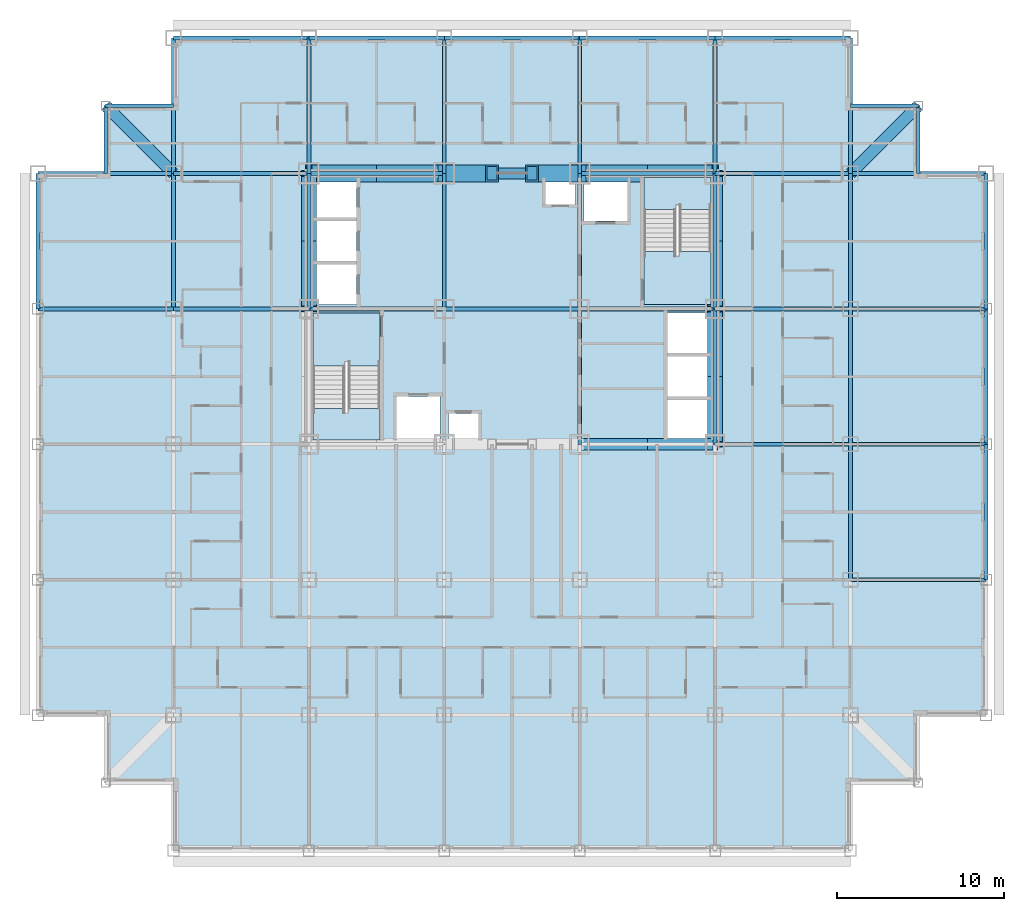
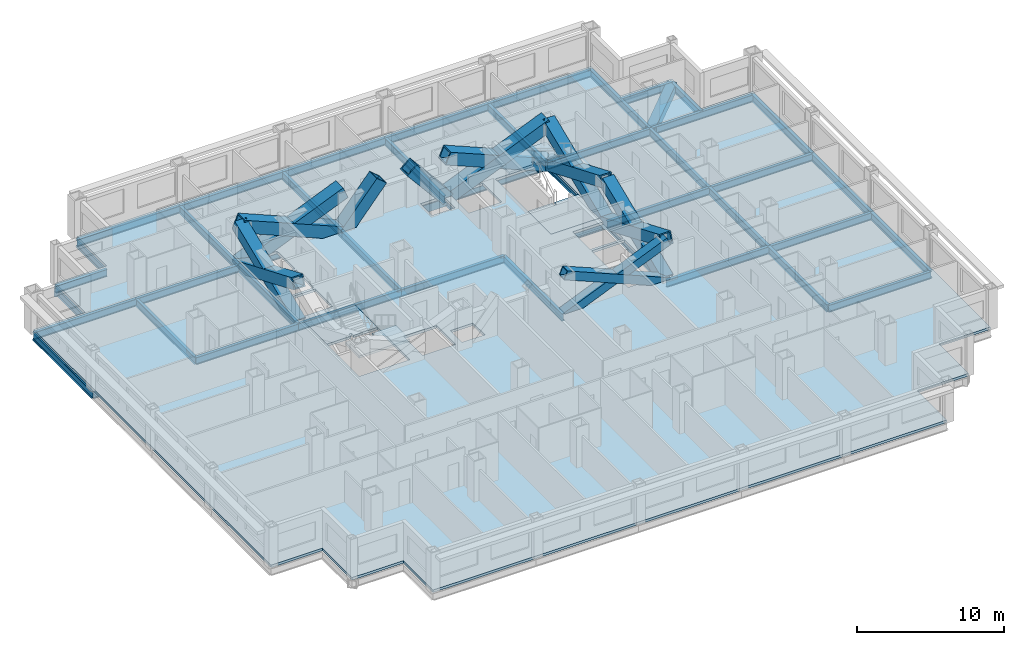
# One storey, part 2 of 11: 48 beams, 14 members, 5 slabs, 2 elements without a shape of their own.
"""IFC4 building model written with IfcOpenShell, lengths in metres."""

from ifc_helpers import new_model, si_unit, direction, frame, origin, origin_2d, place, context, subcontext, project, spatial, polyline, hollow_rectangle, i_section, outline, extrude, material, layer, layer_set, material_profile, profile_set, type_object, element, aggregate, save


model = new_model("IFC4")

# Units and contexts
model_context = context("Model", 3, precision=1e-05, world=origin(), true_north=direction((0.0, 1.0)))
body_context = subcontext(model_context, "Body", "Model", "MODEL_VIEW")
ifc_project = project(units=[si_unit("LENGTHUNIT", "METRE"), si_unit("AREAUNIT", "SQUARE_METRE"), si_unit("VOLUMEUNIT", "CUBIC_METRE"), si_unit("PLANEANGLEUNIT", "RADIAN"), si_unit("MASSUNIT", "GRAM", prefix="KILO")], contexts=[model_context])

# Site, building, storey
site_placement = place(None, origin())
site = spatial("IfcSite", under=ifc_project, at=site_placement, CompositionType="ELEMENT")
building_placement = place(site_placement, origin())
building = spatial("IfcBuilding", under=site, at=building_placement, Name="Kopane Lantern Tower", CompositionType="ELEMENT")
storey_placement = place(building_placement, frame((0.0, 0.0, 56.800048828125)))
storey = spatial("IfcBuildingStorey", under=building, at=storey_placement, Name="L13", CompositionType="ELEMENT", Elevation=56.800048828125)

# Members
ifc_material_1 = material(Name="Steel S355JR", Category="steel")
ifc_material_profile_1 = material_profile(ifc_material_1, hollow_rectangle(XDim=1.0, YDim=1.0, WallThickness=0.10009765625, at=origin_2d()), Name="BOX 1000x1000x100")
ifc_profile_set_1 = profile_set([ifc_material_profile_1], Name="Steel S355JR")
member_type_1 = type_object("IfcMemberType", Name="BRACE BOX 1000x1000x100", PredefinedType="BRACE", material=ifc_profile_set_1)
for number, where, z_axis, x_axis, name in (
    (1, (16.199951171875, 40.5, -0.2099609375), (0.922069000757, 0.0, 0.387025526088), (0.0, 1.0, 0.0), "Core brace L13"),
    (2, (24.300048828125, 40.5, -0.2099609375), (-0.922069000757, 0.0, 0.387025526088), (0.0, -1.0, 0.0), "Core brace L13"),
):
    element("IfcMember", number, at=place(storey_placement, frame(where, z_axis=z_axis, x_axis=x_axis)), inside=storey, type_object=member_type_1, Name=name, PredefinedType="BRACE", context=body_context, shape_type="SweptSolid", body=[
        extrude(hollow_rectangle(XDim=1.0, YDim=1.0, WallThickness=0.10009765625, at=origin_2d()), origin(), (0.0, 0.0, 1.0), 8.78466796875),
    ])
for number, where, z_axis, x_axis, name in (
    (3, (24.300048828125, 40.5, -0.2099609375), (0.642390257445, 0.0, 0.7663776857), (0.0, 1.0, 0.0), "Core brace L13"),
    (4, (32.39990234375, 40.5, -0.2099609375), (-0.642390257445, 0.0, 0.7663776857), (0.0, -1.0, 0.0), "Core brace L13"),
):
    element("IfcMember", number, at=place(storey_placement, frame(where, z_axis=z_axis, x_axis=x_axis)), inside=storey, type_object=member_type_1, Name=name, PredefinedType="BRACE", context=body_context, shape_type="SweptSolid", body=[
        extrude(hollow_rectangle(XDim=1.0, YDim=1.0, WallThickness=0.10009765625, at=origin_2d()), origin(), (0.0, 0.0, 1.0), 4.436279296875),
    ])
for number, where, z_axis, x_axis, name in (
    (5, (32.39990234375, 40.5, -0.2099609375), (0.922069000757, 0.0, 0.387025526088), (0.0, 1.0, 0.0), "Core brace L13"),
    (6, (40.5, 40.5, -0.2099609375), (-0.922069000757, 0.0, 0.387025526088), (0.0, -1.0, 0.0), "Core brace L13"),
):
    element("IfcMember", number, at=place(storey_placement, frame(where, z_axis=z_axis, x_axis=x_axis)), inside=storey, type_object=member_type_1, Name=name, PredefinedType="BRACE", context=body_context, shape_type="SweptSolid", body=[
        extrude(hollow_rectangle(XDim=1.0, YDim=1.0, WallThickness=0.10009765625, at=origin_2d()), origin(), (0.0, 0.0, 1.0), 8.78466796875),
    ])
ifc_material_2 = material(Name="Steel S355JR", Category="steel")
ifc_material_profile_2 = material_profile(ifc_material_2, hollow_rectangle(XDim=0.699951171875, YDim=0.699951171875, WallThickness=0.06005859375, at=origin_2d()), Name="BOX 700x700x60")
ifc_profile_set_2 = profile_set([ifc_material_profile_2], Name="Steel S355JR")
member_type_2 = type_object("IfcMemberType", Name="BRACE BOX 700x700x60", PredefinedType="BRACE", material=ifc_profile_set_2)
for number, where, z_axis, x_axis, name in (
    (7, (32.39990234375, 24.300048828125, -0.2099609375), (0.922069000757, 0.0, 0.387025526088), (0.0, 1.0, 0.0), "Core brace L13"),
    (8, (40.5, 24.300048828125, -0.2099609375), (-0.922069000757, 0.0, 0.387025526088), (0.0, -1.0, 0.0), "Core brace L13"),
):
    element("IfcMember", number, at=place(storey_placement, frame(where, z_axis=z_axis, x_axis=x_axis)), inside=storey, type_object=member_type_2, Name=name, PredefinedType="BRACE", context=body_context, shape_type="SweptSolid", body=[
        extrude(hollow_rectangle(XDim=0.699951171875, YDim=0.699951171875, WallThickness=0.06005859375, at=origin_2d()), origin(), (0.0, 0.0, 1.0), 8.78466796875),
    ])
ifc_material_3 = material(Name="Steel S355JR", Category="steel")
ifc_material_profile_3 = material_profile(ifc_material_3, hollow_rectangle(XDim=0.89990234375, YDim=0.89990234375, WallThickness=0.090087890625, at=origin_2d()), Name="BOX 900x900x90")
ifc_profile_set_3 = profile_set([ifc_material_profile_3], Name="Steel S355JR")
member_type_3 = type_object("IfcMemberType", Name="BRACE BOX 900x900x90", PredefinedType="BRACE", material=ifc_profile_set_3)
for number, where, z_axis, x_axis, name in (
    (9, (16.199951171875, 32.39990234375, -0.2099609375), (0.0, 0.922069000757, 0.387025526088), (-1.0, 0.0, 0.0), "Core brace L13"),
    (10, (16.199951171875, 40.5, -0.2099609375), (0.0, -0.922069000757, 0.387025526088), (1.0, 0.0, 0.0), "Core brace L13"),
):
    element("IfcMember", number, at=place(storey_placement, frame(where, z_axis=z_axis, x_axis=x_axis)), inside=storey, type_object=member_type_3, Name=name, PredefinedType="BRACE", context=body_context, shape_type="SweptSolid", body=[
        extrude(hollow_rectangle(XDim=0.89990234375, YDim=0.89990234375, WallThickness=0.090087890625, at=origin_2d()), origin(), (0.0, 0.0, 1.0), 8.78466796875),
    ])
for number, where, z_axis, x_axis, name in (
    (11, (40.5, 24.300048828125, -0.2099609375), (0.0, 0.922064837731, 0.38703544414), (-1.0, 0.0, 0.0), "Core brace L13"),
    (12, (40.5, 32.39990234375, -0.2099609375), (0.0, -0.922064837731, 0.38703544414), (1.0, 0.0, 0.0), "Core brace L13"),
):
    element("IfcMember", number, at=place(storey_placement, frame(where, z_axis=z_axis, x_axis=x_axis)), inside=storey, type_object=member_type_3, Name=name, PredefinedType="BRACE", context=body_context, shape_type="SweptSolid", body=[
        extrude(hollow_rectangle(XDim=0.89990234375, YDim=0.89990234375, WallThickness=0.090087890625, at=origin_2d()), origin(), (0.0, 0.0, 1.0), 8.784423828125),
    ])
for number, where, z_axis, x_axis, name in (
    (13, (40.5, 32.39990234375, -0.2099609375), (0.0, 0.922069000757, 0.387025526088), (-1.0, 0.0, 0.0), "Core brace L13"),
    (14, (40.5, 40.5, -0.2099609375), (0.0, -0.922069000757, 0.387025526088), (1.0, 0.0, 0.0), "Core brace L13"),
):
    element("IfcMember", number, at=place(storey_placement, frame(where, z_axis=z_axis, x_axis=x_axis)), inside=storey, type_object=member_type_3, Name=name, PredefinedType="BRACE", context=body_context, shape_type="SweptSolid", body=[
        extrude(hollow_rectangle(XDim=0.89990234375, YDim=0.89990234375, WallThickness=0.090087890625, at=origin_2d()), origin(), (0.0, 0.0, 1.0), 8.78466796875),
    ])

# Beams
ifc_material_4 = material(Name="Steel S355JR", Category="steel")
ifc_material_profile_4 = material_profile(ifc_material_4, i_section(OverallWidth=0.22900390625, OverallDepth=0.6123046875, WebThickness=0.011962890625, FlangeThickness=0.01953125, FilletRadius=0.0126953125, at=origin_2d()), Name="UB 610x229x125")
ifc_profile_set_4 = profile_set([ifc_material_profile_4], Name="Steel S355JR")
beam_type_1 = type_object("IfcBeamType", Name="CORE BEAM UB 610x229x125", PredefinedType="BEAM", material=ifc_profile_set_4)
for number, where, z_axis, x_axis, name in (
    (15, (16.199951171875, 32.39990234375, -0.51611328125), (1.0, 0.0, 0.0), (0.0, 1.0, 0.0), "Core Beam L13"),
    (16, (24.300048828125, 32.39990234375, -0.51611328125), (0.0, 1.0, 0.0), (-1.0, 0.0, 0.0), "Core Beam L13"),
):
    element("IfcBeam", number, at=place(storey_placement, frame(where, z_axis=z_axis, x_axis=x_axis)), inside=storey, type_object=beam_type_1, Name=name, PredefinedType="BEAM", context=body_context, shape_type="SweptSolid", body=[
        extrude(i_section(OverallWidth=0.22900390625, OverallDepth=0.6123046875, WebThickness=0.011962890625, FlangeThickness=0.01953125, FilletRadius=0.0126953125, at=origin_2d()), origin(), (0.0, 0.0, 1.0), 8.10009765625),
    ])
for number, where, z_axis, x_axis, name in (
    (17, (24.300048828125, 32.39990234375, -0.51611328125), (1.0, 0.0, 0.0), (0.0, 1.0, 0.0), "Core Beam L13"),
    (18, (32.39990234375, 24.300048828125, -0.51611328125), (0.0, 1.0, 0.0), (-1.0, 0.0, 0.0), "Core Beam L13"),
):
    element("IfcBeam", number, at=place(storey_placement, frame(where, z_axis=z_axis, x_axis=x_axis)), inside=storey, type_object=beam_type_1, Name=name, PredefinedType="BEAM", context=body_context, shape_type="SweptSolid", body=[
        extrude(i_section(OverallWidth=0.22900390625, OverallDepth=0.6123046875, WebThickness=0.011962890625, FlangeThickness=0.01953125, FilletRadius=0.0126953125, at=origin_2d()), origin(), (0.0, 0.0, 1.0), 8.099853515625),
    ])
for number, where, z_axis, x_axis, name in (
    (19, (32.39990234375, 32.39990234375, -0.51611328125), (0.0, 1.0, 0.0), (-1.0, 0.0, 0.0), "Core Beam L13"),
    (20, (32.39990234375, 32.39990234375, -0.51611328125), (1.0, 0.0, 0.0), (0.0, 1.0, 0.0), "Core Beam L13"),
):
    element("IfcBeam", number, at=place(storey_placement, frame(where, z_axis=z_axis, x_axis=x_axis)), inside=storey, type_object=beam_type_1, Name=name, PredefinedType="BEAM", context=body_context, shape_type="SweptSolid", body=[
        extrude(i_section(OverallWidth=0.22900390625, OverallDepth=0.6123046875, WebThickness=0.011962890625, FlangeThickness=0.01953125, FilletRadius=0.0126953125, at=origin_2d()), origin(), (0.0, 0.0, 1.0), 8.10009765625),
    ])
ifc_material_5 = material(Name="Steel S355JR", Category="steel")
ifc_material_profile_5 = material_profile(ifc_material_5, hollow_rectangle(XDim=0.699951171875, YDim=0.699951171875, WallThickness=0.06005859375, at=origin_2d()), Name="BOX 700x700x60")
ifc_profile_set_5 = profile_set([ifc_material_profile_5], Name="Steel S355JR")
beam_type_2 = type_object("IfcBeamType", Name="CORNER TIE BEAM BOX 700x700x60", PredefinedType="BEAM", material=ifc_profile_set_5)
for number, where, z_axis, x_axis, name in (
    (21, (4.050048828125, 44.550048828125, -0.56005859375), (0.707106781187, -0.707106781187, 0.0), (0.707106781187, 0.707106781187, 0.0), "Corner Tie Beam L13"),
    (22, (52.64990234375, 44.550048828125, -0.56005859375), (-0.707085467703, -0.707128094028, 0.0), (0.707128094028, -0.707085467703, 0.0), "Corner Tie Beam L13"),
):
    element("IfcBeam", number, at=place(storey_placement, frame(where, z_axis=z_axis, x_axis=x_axis)), inside=storey, type_object=beam_type_2, Name=name, PredefinedType="BEAM", context=body_context, shape_type="SweptSolid", body=[
        extrude(hollow_rectangle(XDim=0.699951171875, YDim=0.699951171875, WallThickness=0.06005859375, at=origin_2d()), origin(), (0.0, 0.0, 1.0), 5.7275390625),
    ])
ifc_material_6 = material(Name="Steel S355JR", Category="steel")
ifc_material_profile_6 = material_profile(ifc_material_6, i_section(OverallWidth=0.22900390625, OverallDepth=0.6123046875, WebThickness=0.011962890625, FlangeThickness=0.01953125, FilletRadius=0.0126953125, at=origin_2d()), Name="UB 610x229x125")
ifc_profile_set_6 = profile_set([ifc_material_profile_6], Name="Steel S355JR")
beam_type_3 = type_object("IfcBeamType", Name="EDGE BEAM UB 610x229x125", PredefinedType="BEAM", material=ifc_profile_set_6)
for number, where, z_axis, x_axis, name in (
    (23, (4.050048828125, 44.550048828125, -0.51611328125), (0.0, -1.0, 0.0), (1.0, 0.0, 0.0), "Edge Beam L13"),
    (24, (4.050048828125, 44.550048828125, -0.51611328125), (1.0, 0.0, 0.0), (0.0, 1.0, 0.0), "Edge Beam L13"),
):
    element("IfcBeam", number, at=place(storey_placement, frame(where, z_axis=z_axis, x_axis=x_axis)), inside=storey, type_object=beam_type_3, Name=name, PredefinedType="BEAM", context=body_context, shape_type="SweptSolid", body=[
        extrude(i_section(OverallWidth=0.22900390625, OverallDepth=0.6123046875, WebThickness=0.011962890625, FlangeThickness=0.01953125, FilletRadius=0.0126953125, at=origin_2d()), origin(), (0.0, 0.0, 1.0), 4.050048828125),
    ])
beam_1_placement = place(storey_placement, frame((52.64990234375, 44.550048828125, -0.51611328125), z_axis=(-1.0, 0.0, 0.0), x_axis=(0.0, -1.0, 0.0)))
element("IfcBeam", 25, at=beam_1_placement, inside=storey, type_object=beam_type_3, Name="Edge Beam L13", PredefinedType="BEAM", context=body_context, shape_type="SweptSolid", body=[
    extrude(i_section(OverallWidth=0.22900390625, OverallDepth=0.6123046875, WebThickness=0.011962890625, FlangeThickness=0.01953125, FilletRadius=0.0126953125, at=origin_2d()), origin(), (0.0, 0.0, 1.0), 4.0498046875),
])
beam_2_placement = place(storey_placement, frame((52.64990234375, 44.550048828125, -0.51611328125), z_axis=(0.0, -1.0, 0.0), x_axis=(1.0, 0.0, 0.0)))
element("IfcBeam", 26, at=beam_2_placement, inside=storey, type_object=beam_type_3, Name="Edge Beam L13", PredefinedType="BEAM", context=body_context, shape_type="SweptSolid", body=[
    extrude(i_section(OverallWidth=0.22900390625, OverallDepth=0.6123046875, WebThickness=0.011962890625, FlangeThickness=0.01953125, FilletRadius=0.0126953125, at=origin_2d()), origin(), (0.0, 0.0, 1.0), 4.050048828125),
])
ifc_material_7 = material(Name="Steel S355JR", Category="steel")
ifc_material_profile_7 = material_profile(ifc_material_7, i_section(OverallWidth=0.22900390625, OverallDepth=0.6123046875, WebThickness=0.011962890625, FlangeThickness=0.01953125, FilletRadius=0.0126953125, at=origin_2d()), Name="UB 610x229x125")
ifc_profile_set_7 = profile_set([ifc_material_profile_7], Name="Steel S355JR")
beam_type_4 = type_object("IfcBeamType", Name="GIRDER UB 610x229x125", PredefinedType="BEAM", material=ifc_profile_set_7)
for number, where, z_axis, x_axis, name in (
    (27, (0.0, 32.39990234375, -0.51611328125), (0.0, 1.0, 0.0), (-1.0, 0.0, 0.0), "Girder L13"),
    (28, (0.0, 32.39990234375, -0.51611328125), (1.0, 0.0, 0.0), (0.0, 1.0, 0.0), "Girder L13"),
    (29, (0.0, 40.5, -0.51611328125), (1.0, 0.0, 0.0), (0.0, 1.0, 0.0), "Girder L13"),
    (30, (8.10009765625, 32.39990234375, -0.51611328125), (0.0, 1.0, 0.0), (-1.0, 0.0, 0.0), "Girder L13"),
):
    element("IfcBeam", number, at=place(storey_placement, frame(where, z_axis=z_axis, x_axis=x_axis)), inside=storey, type_object=beam_type_4, Name=name, PredefinedType="BEAM", context=body_context, shape_type="SweptSolid", body=[
        extrude(i_section(OverallWidth=0.22900390625, OverallDepth=0.6123046875, WebThickness=0.011962890625, FlangeThickness=0.01953125, FilletRadius=0.0126953125, at=origin_2d()), origin(), (0.0, 0.0, 1.0), 8.10009765625),
    ])
beam_3_placement = place(storey_placement, frame((8.10009765625, 32.39990234375, -0.51611328125), z_axis=(1.0, 0.0, 0.0), x_axis=(0.0, 1.0, 0.0)))
element("IfcBeam", 31, at=beam_3_placement, inside=storey, type_object=beam_type_4, Name="Girder L13", PredefinedType="BEAM", context=body_context, shape_type="SweptSolid", body=[
    extrude(i_section(OverallWidth=0.22900390625, OverallDepth=0.6123046875, WebThickness=0.011962890625, FlangeThickness=0.01953125, FilletRadius=0.0126953125, at=origin_2d()), origin(), (0.0, 0.0, 1.0), 8.099853515625),
])
beam_4_placement = place(storey_placement, frame((8.10009765625, 40.5, -0.51611328125), z_axis=(0.0, 1.0, 0.0), x_axis=(-1.0, 0.0, 0.0)))
element("IfcBeam", 32, at=beam_4_placement, inside=storey, type_object=beam_type_4, Name="Girder L13", PredefinedType="BEAM", context=body_context, shape_type="SweptSolid", body=[
    extrude(i_section(OverallWidth=0.22900390625, OverallDepth=0.6123046875, WebThickness=0.011962890625, FlangeThickness=0.01953125, FilletRadius=0.0126953125, at=origin_2d()), origin(), (0.0, 0.0, 1.0), 8.10009765625),
])
for number, where, z_axis, x_axis, name in (
    (33, (8.10009765625, 40.5, -0.51611328125), (1.0, 0.0, 0.0), (0.0, 1.0, 0.0), "Girder L13"),
    (34, (8.10009765625, 48.60009765625, -0.51611328125), (1.0, 0.0, 0.0), (0.0, 1.0, 0.0), "Girder L13"),
):
    element("IfcBeam", number, at=place(storey_placement, frame(where, z_axis=z_axis, x_axis=x_axis)), inside=storey, type_object=beam_type_4, Name=name, PredefinedType="BEAM", context=body_context, shape_type="SweptSolid", body=[
        extrude(i_section(OverallWidth=0.22900390625, OverallDepth=0.6123046875, WebThickness=0.011962890625, FlangeThickness=0.01953125, FilletRadius=0.0126953125, at=origin_2d()), origin(), (0.0, 0.0, 1.0), 8.099853515625),
    ])
for number, where, z_axis, x_axis, name in (
    (35, (16.199951171875, 32.39990234375, -0.51611328125), (0.0, 1.0, 0.0), (-1.0, 0.0, 0.0), "Girder L13"),
    (36, (16.199951171875, 40.5, -0.51611328125), (0.0, 1.0, 0.0), (-1.0, 0.0, 0.0), "Girder L13"),
    (37, (16.199951171875, 40.5, -0.51611328125), (1.0, 0.0, 0.0), (0.0, 1.0, 0.0), "Girder L13"),
    (38, (16.199951171875, 48.60009765625, -0.51611328125), (1.0, 0.0, 0.0), (0.0, 1.0, 0.0), "Girder L13"),
    (39, (24.300048828125, 40.5, -0.51611328125), (0.0, 1.0, 0.0), (-1.0, 0.0, 0.0), "Girder L13"),
):
    element("IfcBeam", number, at=place(storey_placement, frame(where, z_axis=z_axis, x_axis=x_axis)), inside=storey, type_object=beam_type_4, Name=name, PredefinedType="BEAM", context=body_context, shape_type="SweptSolid", body=[
        extrude(i_section(OverallWidth=0.22900390625, OverallDepth=0.6123046875, WebThickness=0.011962890625, FlangeThickness=0.01953125, FilletRadius=0.0126953125, at=origin_2d()), origin(), (0.0, 0.0, 1.0), 8.10009765625),
    ])
beam_5_placement = place(storey_placement, frame((24.300048828125, 48.60009765625, -0.51611328125), z_axis=(1.0, 0.0, 0.0), x_axis=(0.0, 1.0, 0.0)))
element("IfcBeam", 40, at=beam_5_placement, inside=storey, type_object=beam_type_4, Name="Girder L13", PredefinedType="BEAM", context=body_context, shape_type="SweptSolid", body=[
    extrude(i_section(OverallWidth=0.22900390625, OverallDepth=0.6123046875, WebThickness=0.011962890625, FlangeThickness=0.01953125, FilletRadius=0.0126953125, at=origin_2d()), origin(), (0.0, 0.0, 1.0), 8.099853515625),
])
for number, where, z_axis, x_axis, name in (
    (41, (32.39990234375, 40.5, -0.51611328125), (0.0, 1.0, 0.0), (-1.0, 0.0, 0.0), "Girder L13"),
    (42, (32.39990234375, 40.5, -0.51611328125), (1.0, 0.0, 0.0), (0.0, 1.0, 0.0), "Girder L13"),
    (43, (32.39990234375, 48.60009765625, -0.51611328125), (1.0, 0.0, 0.0), (0.0, 1.0, 0.0), "Girder L13"),
):
    element("IfcBeam", number, at=place(storey_placement, frame(where, z_axis=z_axis, x_axis=x_axis)), inside=storey, type_object=beam_type_4, Name=name, PredefinedType="BEAM", context=body_context, shape_type="SweptSolid", body=[
        extrude(i_section(OverallWidth=0.22900390625, OverallDepth=0.6123046875, WebThickness=0.011962890625, FlangeThickness=0.01953125, FilletRadius=0.0126953125, at=origin_2d()), origin(), (0.0, 0.0, 1.0), 8.10009765625),
    ])
beam_6_placement = place(storey_placement, frame((40.5, 24.300048828125, -0.51611328125), z_axis=(0.0, 1.0, 0.0), x_axis=(-1.0, 0.0, 0.0)))
element("IfcBeam", 44, at=beam_6_placement, inside=storey, type_object=beam_type_4, Name="Girder L13", PredefinedType="BEAM", context=body_context, shape_type="SweptSolid", body=[
    extrude(i_section(OverallWidth=0.22900390625, OverallDepth=0.6123046875, WebThickness=0.011962890625, FlangeThickness=0.01953125, FilletRadius=0.0126953125, at=origin_2d()), origin(), (0.0, 0.0, 1.0), 8.099853515625),
])
for number, where, z_axis, x_axis, name in (
    (45, (40.5, 24.300048828125, -0.51611328125), (1.0, 0.0, 0.0), (0.0, 1.0, 0.0), "Girder L13"),
    (46, (40.5, 32.39990234375, -0.51611328125), (0.0, 1.0, 0.0), (-1.0, 0.0, 0.0), "Girder L13"),
    (47, (40.5, 32.39990234375, -0.51611328125), (1.0, 0.0, 0.0), (0.0, 1.0, 0.0), "Girder L13"),
    (48, (40.5, 40.5, -0.51611328125), (0.0, 1.0, 0.0), (-1.0, 0.0, 0.0), "Girder L13"),
    (49, (40.5, 40.5, -0.51611328125), (1.0, 0.0, 0.0), (0.0, 1.0, 0.0), "Girder L13"),
    (50, (40.5, 48.60009765625, -0.51611328125), (1.0, 0.0, 0.0), (0.0, 1.0, 0.0), "Girder L13"),
    (51, (48.60009765625, 16.199951171875, -0.51611328125), (0.0, 1.0, 0.0), (-1.0, 0.0, 0.0), "Girder L13"),
):
    element("IfcBeam", number, at=place(storey_placement, frame(where, z_axis=z_axis, x_axis=x_axis)), inside=storey, type_object=beam_type_4, Name=name, PredefinedType="BEAM", context=body_context, shape_type="SweptSolid", body=[
        extrude(i_section(OverallWidth=0.22900390625, OverallDepth=0.6123046875, WebThickness=0.011962890625, FlangeThickness=0.01953125, FilletRadius=0.0126953125, at=origin_2d()), origin(), (0.0, 0.0, 1.0), 8.10009765625),
    ])
for number, where, z_axis, x_axis, name in (
    (52, (48.60009765625, 16.199951171875, -0.51611328125), (1.0, 0.0, 0.0), (0.0, 1.0, 0.0), "Girder L13"),
    (53, (48.60009765625, 24.300048828125, -0.51611328125), (0.0, 1.0, 0.0), (-1.0, 0.0, 0.0), "Girder L13"),
    (54, (48.60009765625, 24.300048828125, -0.51611328125), (1.0, 0.0, 0.0), (0.0, 1.0, 0.0), "Girder L13"),
):
    element("IfcBeam", number, at=place(storey_placement, frame(where, z_axis=z_axis, x_axis=x_axis)), inside=storey, type_object=beam_type_4, Name=name, PredefinedType="BEAM", context=body_context, shape_type="SweptSolid", body=[
        extrude(i_section(OverallWidth=0.22900390625, OverallDepth=0.6123046875, WebThickness=0.011962890625, FlangeThickness=0.01953125, FilletRadius=0.0126953125, at=origin_2d()), origin(), (0.0, 0.0, 1.0), 8.099853515625),
    ])
beam_7_placement = place(storey_placement, frame((48.60009765625, 32.39990234375, -0.51611328125), z_axis=(0.0, 1.0, 0.0), x_axis=(-1.0, 0.0, 0.0)))
element("IfcBeam", 55, at=beam_7_placement, inside=storey, type_object=beam_type_4, Name="Girder L13", PredefinedType="BEAM", context=body_context, shape_type="SweptSolid", body=[
    extrude(i_section(OverallWidth=0.22900390625, OverallDepth=0.6123046875, WebThickness=0.011962890625, FlangeThickness=0.01953125, FilletRadius=0.0126953125, at=origin_2d()), origin(), (0.0, 0.0, 1.0), 8.10009765625),
])
beam_8_placement = place(storey_placement, frame((48.60009765625, 32.39990234375, -0.51611328125), z_axis=(1.0, 0.0, 0.0), x_axis=(0.0, 1.0, 0.0)))
element("IfcBeam", 56, at=beam_8_placement, inside=storey, type_object=beam_type_4, Name="Girder L13", PredefinedType="BEAM", context=body_context, shape_type="SweptSolid", body=[
    extrude(i_section(OverallWidth=0.22900390625, OverallDepth=0.6123046875, WebThickness=0.011962890625, FlangeThickness=0.01953125, FilletRadius=0.0126953125, at=origin_2d()), origin(), (0.0, 0.0, 1.0), 8.099853515625),
])
beam_9_placement = place(storey_placement, frame((48.60009765625, 40.5, -0.51611328125), z_axis=(0.0, 1.0, 0.0), x_axis=(-1.0, 0.0, 0.0)))
element("IfcBeam", 57, at=beam_9_placement, inside=storey, type_object=beam_type_4, Name="Girder L13", PredefinedType="BEAM", context=body_context, shape_type="SweptSolid", body=[
    extrude(i_section(OverallWidth=0.22900390625, OverallDepth=0.6123046875, WebThickness=0.011962890625, FlangeThickness=0.01953125, FilletRadius=0.0126953125, at=origin_2d()), origin(), (0.0, 0.0, 1.0), 8.10009765625),
])
beam_10_placement = place(storey_placement, frame((48.60009765625, 40.5, -0.51611328125), z_axis=(1.0, 0.0, 0.0), x_axis=(0.0, 1.0, 0.0)))
element("IfcBeam", 58, at=beam_10_placement, inside=storey, type_object=beam_type_4, Name="Girder L13", PredefinedType="BEAM", context=body_context, shape_type="SweptSolid", body=[
    extrude(i_section(OverallWidth=0.22900390625, OverallDepth=0.6123046875, WebThickness=0.011962890625, FlangeThickness=0.01953125, FilletRadius=0.0126953125, at=origin_2d()), origin(), (0.0, 0.0, 1.0), 8.099853515625),
])
beam_11_placement = place(storey_placement, frame((56.699951171875, 16.199951171875, -0.51611328125), z_axis=(0.0, 1.0, 0.0), x_axis=(-1.0, 0.0, 0.0)))
element("IfcBeam", 59, at=beam_11_placement, inside=storey, type_object=beam_type_4, Name="Girder L13", PredefinedType="BEAM", context=body_context, shape_type="SweptSolid", body=[
    extrude(i_section(OverallWidth=0.22900390625, OverallDepth=0.6123046875, WebThickness=0.011962890625, FlangeThickness=0.01953125, FilletRadius=0.0126953125, at=origin_2d()), origin(), (0.0, 0.0, 1.0), 8.10009765625),
])
beam_12_placement = place(storey_placement, frame((56.699951171875, 24.300048828125, -0.51611328125), z_axis=(0.0, 1.0, 0.0), x_axis=(-1.0, 0.0, 0.0)))
element("IfcBeam", 60, at=beam_12_placement, inside=storey, type_object=beam_type_4, Name="Girder L13", PredefinedType="BEAM", context=body_context, shape_type="SweptSolid", body=[
    extrude(i_section(OverallWidth=0.22900390625, OverallDepth=0.6123046875, WebThickness=0.011962890625, FlangeThickness=0.01953125, FilletRadius=0.0126953125, at=origin_2d()), origin(), (0.0, 0.0, 1.0), 8.099853515625),
])
beam_13_placement = place(storey_placement, frame((56.699951171875, 32.39990234375, -0.51611328125), z_axis=(0.0, 1.0, 0.0), x_axis=(-1.0, 0.0, 0.0)))
element("IfcBeam", 61, at=beam_13_placement, inside=storey, type_object=beam_type_4, Name="Girder L13", PredefinedType="BEAM", context=body_context, shape_type="SweptSolid", body=[
    extrude(i_section(OverallWidth=0.22900390625, OverallDepth=0.6123046875, WebThickness=0.011962890625, FlangeThickness=0.01953125, FilletRadius=0.0126953125, at=origin_2d()), origin(), (0.0, 0.0, 1.0), 8.10009765625),
])
ifc_material_8 = material(Name="Steel S355JR", Category="steel")
ifc_material_profile_8 = material_profile(ifc_material_8, hollow_rectangle(XDim=0.64990234375, YDim=0.64990234375, WallThickness=0.070068359375, at=origin_2d()), Name="BOX 650x650x70")
ifc_profile_set_8 = profile_set([ifc_material_profile_8], Name="Steel S355JR")
beam_type_5 = type_object("IfcBeamType", Name="LINK BEAM BOX 650x650x70", PredefinedType="BEAM", material=ifc_profile_set_8)
beam_14_placement = place(storey_placement, frame((24.300048828125, 40.5, -0.53515625), z_axis=(1.0, 0.0, 0.0), x_axis=(0.0, 1.0, 0.0)))
element("IfcBeam", 62, at=beam_14_placement, inside=storey, type_object=beam_type_5, Name="Link Beam L13", PredefinedType="BEAM", context=body_context, shape_type="SweptSolid", body=[
    extrude(hollow_rectangle(XDim=0.64990234375, YDim=0.64990234375, WallThickness=0.070068359375, at=origin_2d()), origin(), (0.0, 0.0, 1.0), 8.099853515625),
])

# Slab
ifc_material_9 = material(Name="Concrete C40/50", Category="concrete")
ifc_layer_1 = layer(ifc_material_9, 0.2099609375)
ifc_layer_set_1 = layer_set([ifc_layer_1], Name="SLAB 210 COMPOSITE")
slab_type_1 = type_object("IfcSlabType", Name="SLAB 210 COMPOSITE", PredefinedType="FLOOR", material=ifc_layer_set_1)
slab_1_placement = place(storey_placement, frame((0.0, 0.0, -0.2099609375)))
element("IfcSlab", 63, at=slab_1_placement, inside=storey, type_object=slab_type_1, Name="Floor slab L13", PredefinedType="FLOOR", context=body_context, shape_type="SweptSolid", body=[
    extrude(outline(polyline([(8.10009765625, 0.0), (48.60009765625, 0.0), (48.60009765625, 4.050048828125), (52.64990234375, 4.050048828125), (52.64990234375, 8.10009765625), (56.699951171875, 8.10009765625), (56.699951171875, 40.5), (52.64990234375, 40.5), (52.64990234375, 44.550048828125), (48.60009765625, 44.550048828125), (48.60009765625, 48.60009765625), (8.10009765625, 48.60009765625), (8.10009765625, 44.550048828125), (4.050048828125, 44.550048828125), (4.050048828125, 40.5), (0.0, 40.5), (0.0, 8.10009765625), (4.050048828125, 8.10009765625), (4.050048828125, 4.050048828125), (8.10009765625, 4.050048828125), (8.10009765625, 0.0)]), holes=[polyline([(16.449951171875, 24.550048828125), (20.449951171875, 24.550048828125), (20.449951171875, 32.14990234375), (16.449951171875, 32.14990234375), (16.449951171875, 24.550048828125)]), polyline([(36.25, 32.64990234375), (40.25, 32.64990234375), (40.25, 40.25), (36.25, 40.25), (36.25, 32.64990234375)]), polyline([(16.449951171875, 32.64990234375), (19.050048828125, 32.64990234375), (19.050048828125, 35.050048828125), (16.449951171875, 35.050048828125), (16.449951171875, 32.64990234375)]), polyline([(16.449951171875, 35.25), (19.050048828125, 35.25), (19.050048828125, 37.64990234375), (16.449951171875, 37.64990234375), (16.449951171875, 35.25)]), polyline([(16.449951171875, 37.85009765625), (19.050048828125, 37.85009765625), (19.050048828125, 40.25), (16.449951171875, 40.25), (16.449951171875, 37.85009765625)]), polyline([(37.64990234375, 24.550048828125), (40.25, 24.550048828125), (40.25, 26.949951171875), (37.64990234375, 26.949951171875), (37.64990234375, 24.550048828125)]), polyline([(37.64990234375, 27.14990234375), (40.25, 27.14990234375), (40.25, 29.550048828125), (37.64990234375, 29.550048828125), (37.64990234375, 27.14990234375)]), polyline([(37.64990234375, 29.75), (40.25, 29.75), (40.25, 32.14990234375), (37.64990234375, 32.14990234375), (37.64990234375, 29.75)]), polyline([(21.449951171875, 24.550048828125), (24.050048828125, 24.550048828125), (24.050048828125, 27.14990234375), (21.449951171875, 27.14990234375), (21.449951171875, 24.550048828125)]), polyline([(32.64990234375, 37.64990234375), (35.25, 37.64990234375), (35.25, 40.25), (32.64990234375, 40.25), (32.64990234375, 37.64990234375)]), polyline([(24.550048828125, 24.550048828125), (26.35009765625, 24.550048828125), (26.35009765625, 26.14990234375), (24.550048828125, 26.14990234375), (24.550048828125, 24.550048828125)]), polyline([(30.35009765625, 38.64990234375), (32.14990234375, 38.64990234375), (32.14990234375, 40.25), (30.35009765625, 40.25), (30.35009765625, 38.64990234375)])]), origin(), (0.0, 0.0, 1.0), 0.2099609375),
])

# Stair, slabs
ifc_material_10 = material(Name="Steel S355JR", Category="steel")
stair_type = type_object("IfcStairType", Name="EXIT STAIR 1900 HALF TURN", PredefinedType="HALF_TURN_STAIR", material=ifc_material_10)
stair_1_placement = place(storey_placement, origin())
stair_1 = element("IfcStair", 64, at=stair_1_placement, inside=storey, type_object=stair_type, Name="Exit stair ST1 L13", PredefinedType="HALF_TURN_STAIR")
ifc_material_11 = material(Name="Concrete C40/50", Category="concrete")
ifc_layer_2 = layer(ifc_material_11, 0.199951171875)
ifc_layer_set_2 = layer_set([ifc_layer_2], Name="STAIR LANDING 200")
slab_type_2 = type_object("IfcSlabType", Name="STAIR LANDING 200", PredefinedType="LANDING", material=ifc_layer_set_2)
slab_2_placement = place(storey_placement, frame((0.0, 0.0, -0.199951171875)))
slab_2 = element("IfcSlab", 65, at=slab_2_placement, type_object=slab_type_2, Name="ST1 landing 1", PredefinedType="LANDING", context=body_context, shape_type="SweptSolid", body=[
    extrude(outline(polyline([(18.35009765625, 29.25), (18.550048828125, 29.25), (18.550048828125, 28.969970703125), (20.449951171875, 28.969970703125), (20.449951171875, 32.14990234375), (16.449951171875, 32.14990234375), (16.449951171875, 28.969970703125), (18.35009765625, 28.969970703125), (18.35009765625, 29.25)])), origin(), (0.0, 0.0, 1.0), 0.199951171875),
])
slab_3_placement = place(storey_placement, frame((0.0, 0.0, 1.5)))
slab_3 = element("IfcSlab", 66, at=slab_3_placement, type_object=slab_type_2, Name="ST1 landing 2", PredefinedType="LANDING", context=body_context, shape_type="SweptSolid", body=[
    extrude(outline(polyline([(20.449951171875, 26.449951171875), (18.550048828125, 26.449951171875), (18.550048828125, 26.169921875), (18.35009765625, 26.169921875), (18.35009765625, 26.449951171875), (16.449951171875, 26.449951171875), (16.449951171875, 24.550048828125), (20.449951171875, 24.550048828125), (20.449951171875, 26.449951171875)])), origin(), (0.0, 0.0, 1.0), 0.199951171875),
])
aggregate(stair_1, [slab_2, slab_3])

stair_2_placement = place(storey_placement, origin())
stair_2 = element("IfcStair", 67, at=stair_2_placement, inside=storey, type_object=stair_type, Name="Exit stair ST2 L13", PredefinedType="HALF_TURN_STAIR")
slab_4_placement = place(storey_placement, frame((0.0, 0.0, -0.199951171875)))
slab_4 = element("IfcSlab", 68, at=slab_4_placement, type_object=slab_type_2, Name="ST2 landing 1", PredefinedType="LANDING", context=body_context, shape_type="SweptSolid", body=[
    extrude(outline(polyline([(40.25, 35.830078125), (38.35009765625, 35.830078125), (38.35009765625, 35.550048828125), (38.14990234375, 35.550048828125), (38.14990234375, 35.830078125), (36.25, 35.830078125), (36.25, 32.64990234375), (40.25, 32.64990234375), (40.25, 35.830078125)])), origin(), (0.0, 0.0, 1.0), 0.199951171875),
])
slab_5_placement = place(storey_placement, frame((0.0, 0.0, 1.5)))
slab_5 = element("IfcSlab", 69, at=slab_5_placement, type_object=slab_type_2, Name="ST2 landing 2", PredefinedType="LANDING", context=body_context, shape_type="SweptSolid", body=[
    extrude(outline(polyline([(38.14990234375, 38.6298828125), (38.35009765625, 38.6298828125), (38.35009765625, 38.35009765625), (40.25, 38.35009765625), (40.25, 40.25), (36.25, 40.25), (36.25, 38.35009765625), (38.14990234375, 38.35009765625), (38.14990234375, 38.6298828125)])), origin(), (0.0, 0.0, 1.0), 0.199951171875),
])
aggregate(stair_2, [slab_4, slab_5])

save(model, "model.ifc")
